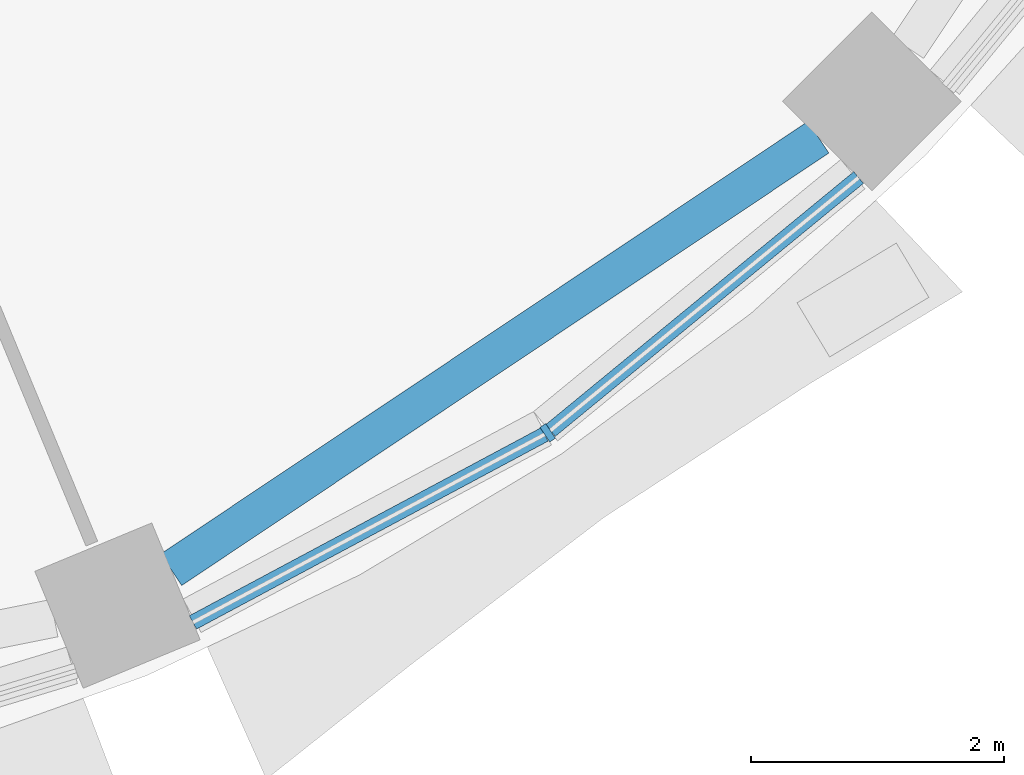
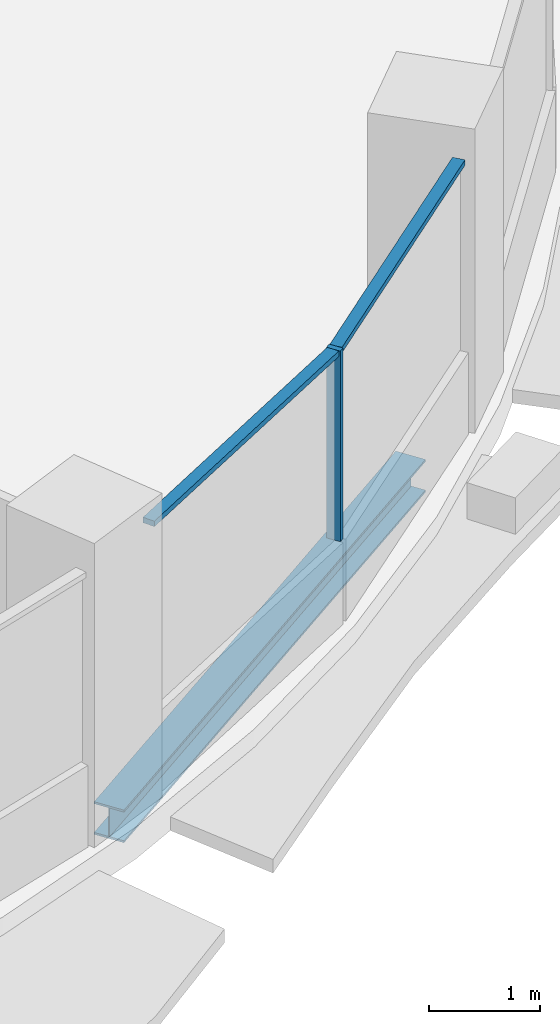
# One storey, part 3 of 15: 3 members, 1 beam, 1 element without a shape of its own.
"""IFC4 building model written with IfcOpenShell, lengths in metres."""

from ifc_helpers import new_model, si_unit, direction, frame, origin, origin_2d, place, context, subcontext, project, spatial, rectangle, i_section, extrude, material, material_profile, profile_set, type_object, element, aggregate, save


model = new_model("IFC4")

# Units and contexts
model_context = context("Model", 3, precision=1e-05, world=origin(), true_north=direction((0.0, 1.0)))
body_context = subcontext(model_context, "Body", "Model", "MODEL_VIEW")
ifc_project = project(units=[si_unit("LENGTHUNIT", "METRE"), si_unit("AREAUNIT", "SQUARE_METRE"), si_unit("VOLUMEUNIT", "CUBIC_METRE"), si_unit("PLANEANGLEUNIT", "RADIAN"), si_unit("MASSUNIT", "GRAM", prefix="KILO")], contexts=[model_context])

# Site, building, storey
site_placement = place(None, origin())
site = spatial("IfcSite", under=ifc_project, at=site_placement, CompositionType="ELEMENT")
building_placement = place(site_placement, origin())
building = spatial("IfcBuilding", under=site, at=building_placement, Name="Polderwave Tower", CompositionType="ELEMENT")
storey_placement = place(building_placement, frame((0.0, 0.0, 137.699951171875)))
storey = spatial("IfcBuildingStorey", under=building, at=storey_placement, Name="L36", CompositionType="ELEMENT", Elevation=137.699951171875)

# Curtain wall, members
ifc_material_1 = material(Name="Aluminium 6063-T6 and glass", Category="aluminium")
curtain_wall_type = type_object("IfcCurtainWallType", Name="Office ribbon glazing wall", PredefinedType="NOTDEFINED", material=ifc_material_1)
curtain_wall_placement = place(storey_placement, origin())
curtain_wall = element("IfcCurtainWall", 1, at=curtain_wall_placement, inside=storey, type_object=curtain_wall_type, Name="CW3 L36 13", PredefinedType="NOTDEFINED")
ifc_material_2 = material(Name="Aluminium 6063-T6", Category="aluminium")
ifc_material_profile_1 = material_profile(ifc_material_2, rectangle(XDim=0.139892578125, YDim=0.054931640625, at=origin_2d()), Name="AL 55x140")
ifc_profile_set_1 = profile_set([ifc_material_profile_1], Name="Aluminium 6063-T6")
member_type_1 = type_object("IfcMemberType", Name="Office ribbon glazing mullion 55x140", PredefinedType="MULLION", material=ifc_profile_set_1)
member_1_placement = place(storey_placement, frame((10.43408203125, -15.614990234375, 0.900146484375), z_axis=(0.0, 0.0, 1.0), x_axis=(-0.555657301267, 0.831411428565, 0.0)))
member_1 = element("IfcMember", 2, at=member_1_placement, type_object=member_type_1, Name="CW3 mullion 1", PredefinedType="MULLION", context=body_context, shape_type="SweptSolid", body=[
    extrude(rectangle(XDim=0.139892578125, YDim=0.054931640625, at=origin_2d()), origin(), (0.0, 0.0, 1.0), 2.099853515625),
])
ifc_material_profile_2 = material_profile(ifc_material_2, rectangle(XDim=0.1201171875, YDim=0.06005859375, at=origin_2d()), Name="AL 60x120")
ifc_profile_set_2 = profile_set([ifc_material_profile_2], Name="Aluminium 6063-T6")
member_type_2 = type_object("IfcMemberType", Name="Office ribbon glazing transom 60x120", PredefinedType="USERDEFINED", material=ifc_profile_set_2)
member_2_placement = place(storey_placement, frame((7.6298828125, -17.114013671875, 2.969970703125), z_axis=(0.88188725203, 0.471460363877, 0.0), x_axis=(-0.471460363877, 0.88188725203, 0.0)))
member_2 = element("IfcMember", 3, at=member_2_placement, type_object=member_type_2, Name="CW3 transom 1", ObjectType="TRANSOM", PredefinedType="USERDEFINED", context=body_context, shape_type="SweptSolid", body=[
    extrude(rectangle(XDim=0.1201171875, YDim=0.06005859375, at=origin_2d()), origin(), (0.0, 0.0, 1.0), 3.152099609375),
])
member_3_placement = place(storey_placement, frame((10.455322265625, -15.59765625, 2.969970703125), z_axis=(0.772893139863, 0.634536204131, 0.0), x_axis=(-0.634536204131, 0.772893139863, 0.0)))
member_3 = element("IfcMember", 4, at=member_3_placement, type_object=member_type_2, Name="CW3 transom 2", ObjectType="TRANSOM", PredefinedType="USERDEFINED", context=body_context, shape_type="SweptSolid", body=[
    extrude(rectangle(XDim=0.1201171875, YDim=0.06005859375, at=origin_2d()), origin(), (0.0, 0.0, 1.0), 3.151611328125),
])
aggregate(curtain_wall, [member_1, member_2, member_3])

# Beam
ifc_material_3 = material(Name="Steel S355", Category="steel")
ifc_material_profile_3 = material_profile(ifc_material_3, i_section(OverallWidth=0.300048828125, OverallDepth=0.360107421875, WebThickness=0.012451171875, FlangeThickness=0.0224609375, at=origin_2d()), Name="HE 360 B")
ifc_profile_set_3 = profile_set([ifc_material_profile_3], Name="Steel S355")
beam_type = type_object("IfcBeamType", Name="RING BEAM HE 360 B", PredefinedType="BEAM", material=ifc_profile_set_3)
beam_placement = place(storey_placement, frame((7.45751953125, -16.69775390625, -0.530029296875), z_axis=(0.831463724506, 0.555579044629, 0.0), x_axis=(-0.555579044629, 0.831463724506, 0.0)))
element("IfcBeam", 5, at=beam_placement, inside=storey, type_object=beam_type, Name="ST-RB-L36-13", PredefinedType="BEAM", context=body_context, shape_type="SweptSolid", body=[
    extrude(i_section(OverallWidth=0.300048828125, OverallDepth=0.360107421875, WebThickness=0.012451171875, FlangeThickness=0.0224609375, at=origin_2d()), origin(), (0.0, 0.0, 1.0), 6.152099609375),
])

save(model, "model.ifc")
